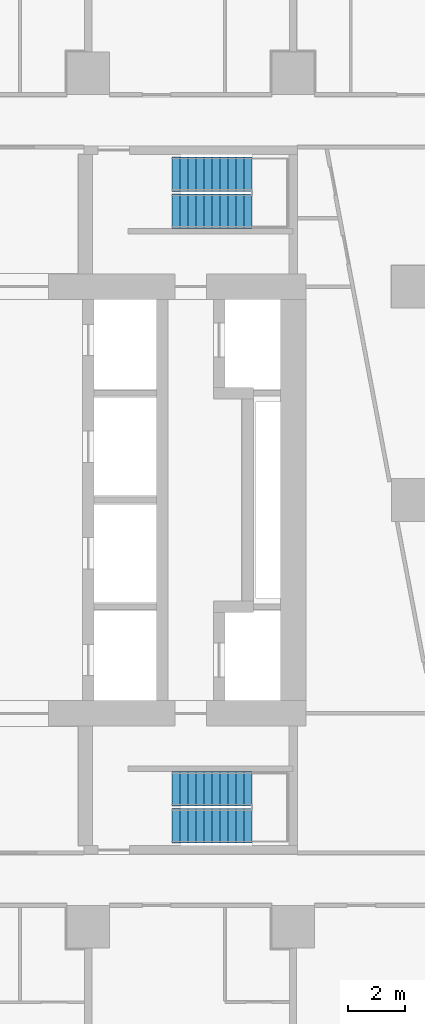
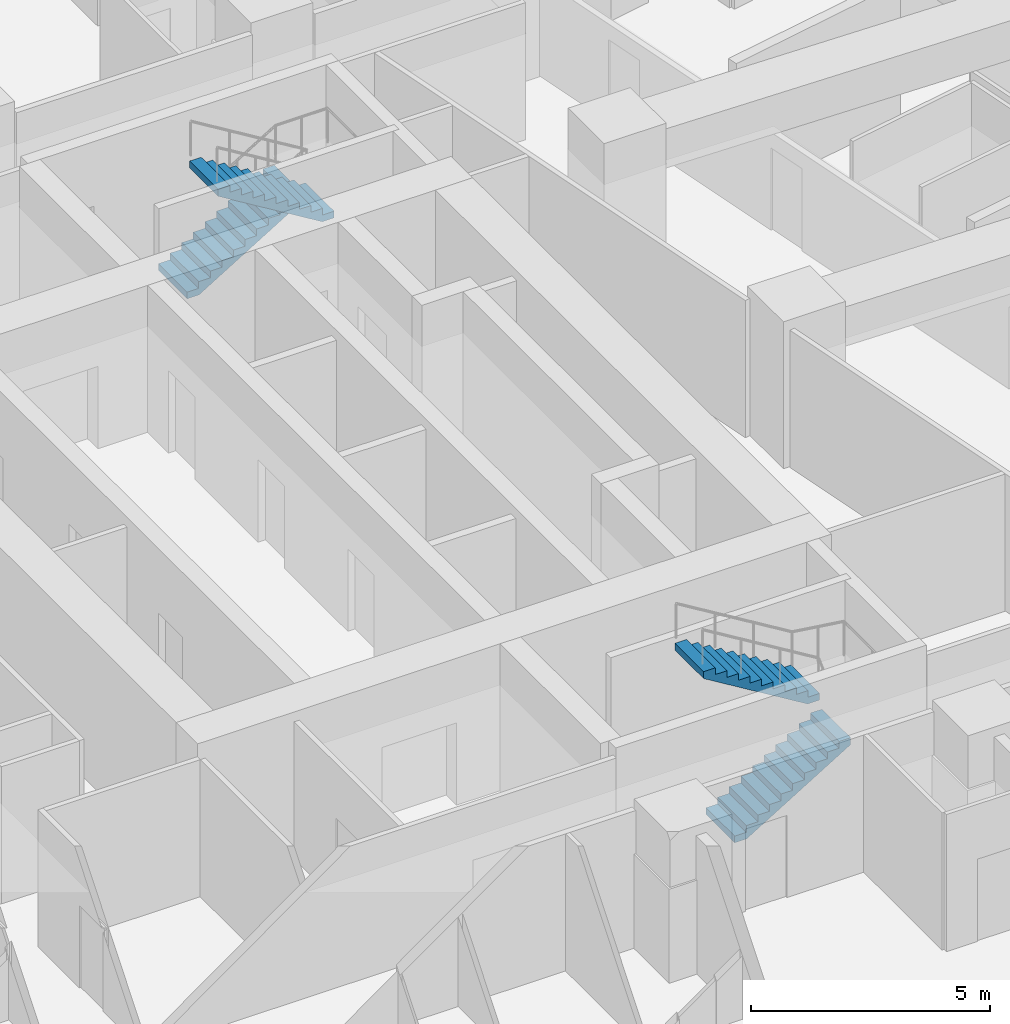
# One storey, part 13 of 15: 4 stair flights, 2 elements without a shape of their own.
"""IFC4 building model written with IfcOpenShell, lengths in metres."""

import ifcopenshell
import ifcopenshell.guid

model = None  # the IFC model being written
_history = None  # IfcOwnerHistory: only IFC2X3 demands one
_inside = {}  # id of a spatial element -> (the spatial element, [elements in it])
_under = {}  # id of a project, library or spatial element -> (it, [spatial elements below it])
_declared = {}  # id of a project -> (the project, [libraries it declares])
_typed = {}  # id of a type object -> (the type object, [elements of that type])
_made_of = {}  # id of a material, layer set ... -> (it, [elements and type objects made of it])


def new_model(schema):
    """Start an empty IFC model of exactly this schema.

    Asked for "IFC4X3", IfcOpenShell would pick the latest addendum, in which some entities
    have other attributes; the version numbers below select the first issue.
    IFC2X3 requires an IfcOwnerHistory on every rooted entity: one is made here for all.
    """
    global model, _history
    if schema == "IFC4X3":
        model = ifcopenshell.file(schema_version=(4, 3, 0, 0))
    else:
        model = ifcopenshell.file(schema=schema)
    _inside.clear()
    _under.clear()
    _declared.clear()
    _typed.clear()
    _made_of.clear()
    _history = None
    if model.schema == "IFC2X3":
        org = make("IfcOrganization", Name="unknown")
        user = make(
            "IfcPersonAndOrganization",
            ThePerson=make("IfcPerson", FamilyName="unknown"),
            TheOrganization=org,
        )
        app = make(
            "IfcApplication",
            ApplicationDeveloper=org,
            Version="unknown",
            ApplicationFullName="unknown",
            ApplicationIdentifier="unknown",
        )
        _history = make(
            "IfcOwnerHistory",
            OwningUser=user,
            OwningApplication=app,
            ChangeAction="ADDED",
            CreationDate=0,
        )
    return model


def make(cls, **values):
    """One entity of the class cls with the attributes given. An attribute that is None is left unset."""
    return model.create_entity(
        cls, **{name: value for name, value in values.items() if value is not None}
    )


def rooted(cls, **values):
    """An entity with a GlobalId (a new one), such as an element, a storey or a relation."""
    return make(cls, GlobalId=ifcopenshell.guid.new(), OwnerHistory=_history, **values)


def si_unit(unit_type, name, prefix=None):
    """IfcSIUnit, for example si_unit("LENGTHUNIT", "METRE", prefix="MILLI")."""
    return make("IfcSIUnit", UnitType=unit_type, Prefix=prefix, Name=name)


def assignment(units):
    """IfcUnitAssignment: the units of a project."""
    return None if units is None else make("IfcUnitAssignment", Units=units)


def point(xyz):
    """IfcCartesianPoint."""
    return None if xyz is None else make("IfcCartesianPoint", Coordinates=xyz)


def direction(xyz):
    """IfcDirection."""
    return None if xyz is None else make("IfcDirection", DirectionRatios=xyz)


def frame(location, z_axis=None, x_axis=None):
    """IfcAxis2Placement3D, a coordinate frame: its origin and axes. An axis left out is left unset."""
    return make(
        "IfcAxis2Placement3D",
        Location=point(location),
        Axis=direction(z_axis),
        RefDirection=direction(x_axis),
    )


def origin():
    """The frame at (0, 0, 0) with its axes left unset."""
    return frame((0.0, 0.0, 0.0))


def place(relative_to, where):
    """IfcLocalPlacement: puts the frame where relative to a parent placement (None: the world)."""
    return make(
        "IfcLocalPlacement", PlacementRelTo=relative_to, RelativePlacement=where
    )


def context(
    kind, dimensions, precision=None, world=None, true_north=None, identifier=None
):
    """IfcGeometricRepresentationContext, for example the 3D "Model" context."""
    return make(
        "IfcGeometricRepresentationContext",
        ContextIdentifier=identifier,
        ContextType=kind,
        CoordinateSpaceDimension=dimensions,
        Precision=precision,
        WorldCoordinateSystem=world,
        TrueNorth=true_north,
    )


def subcontext(parent, identifier, kind, view, scale=None):
    """IfcGeometricRepresentationSubContext, for example "Body" below "Model"."""
    return make(
        "IfcGeometricRepresentationSubContext",
        ContextIdentifier=identifier,
        ContextType=kind,
        ParentContext=parent,
        TargetScale=scale,
        TargetView=view,
    )


def project(units=None, contexts=None):
    """IfcProject with its units and contexts."""
    return rooted(
        "IfcProject",
        Name="project",
        RepresentationContexts=contexts,
        UnitsInContext=assignment(units),
    )


def spatial(cls, under=None, at=None, **own):
    """A site, building, storey or space (cls), placed at a placement, below another one or the project."""
    s = rooted(cls, ObjectPlacement=at, **own)
    if under is not None:
        _under.setdefault(under.id(), (under, []))[1].append(s)
    return s


def point_list(points):
    """IfcCartesianPointList2D or 3D."""
    cls = (
        "IfcCartesianPointList2D" if len(points[0]) == 2 else "IfcCartesianPointList3D"
    )
    return make(cls, CoordList=points)


def triangles(points, corners, closed=None, point_numbers=None):
    """IfcTriangulatedFaceSet: each triangle names its three corners, points numbered from 1."""
    return make(
        "IfcTriangulatedFaceSet",
        Coordinates=point_list(points),
        Closed=closed,
        CoordIndex=corners,
        PnIndex=point_numbers,
    )


def shape(context_of_items, identifier, shape_type, items):
    """IfcShapeRepresentation: the items that make up one representation, for example the "Body"."""
    return make(
        "IfcShapeRepresentation",
        ContextOfItems=context_of_items,
        RepresentationIdentifier=identifier,
        RepresentationType=shape_type,
        Items=items,
    )


def material(Name=None, Category=None):
    """IfcMaterial."""
    return make("IfcMaterial", Name=Name, Category=Category)


def made_of(thing, what):
    """Note that an element or type object is made of a material, layer set ...; save() writes the relation."""
    if what is not None:
        _made_of.setdefault(what.id(), (what, []))[1].append(thing)
    return thing


def type_object(cls, material=None, **own):
    """A type object (cls), such as IfcWallType, which elements share."""
    return made_of(rooted(cls, **own), material)


def element(
    cls,
    number,
    at=None,
    inside=None,
    cuts=None,
    type_object=None,
    material=None,
    context=None,
    identifier="Body",
    shape_type=None,
    held_by="IfcProductDefinitionShape",
    body=None,
    shapes=None,
    **own,
):
    """One element of the class cls, such as IfcWall. Its Tag is "e" and its number.

    at: its placement. inside: the storey or other place that contains it. cuts: it is an
    opening in that element (IfcRelVoidsElement). A single representation is given by context,
    identifier, shape_type and body (its items); several are given by shapes. held_by: the class
    of the entity that holds the representations. save() writes the other relations.
    """
    e = rooted(cls, Tag="e%d" % number, ObjectPlacement=at, **own)
    if body is not None:
        shapes = [shape(context, identifier, shape_type, body)]
    if shapes is not None:
        e.Representation = make(held_by, Representations=shapes)
    if inside is not None:
        _inside.setdefault(inside.id(), (inside, []))[1].append(e)
    if cuts is not None:
        rooted(
            "IfcRelVoidsElement", RelatingBuildingElement=cuts, RelatedOpeningElement=e
        )
    if type_object is not None:
        _typed.setdefault(type_object.id(), (type_object, []))[1].append(e)
    return made_of(e, material)


def aggregate(whole, parts):
    """IfcRelAggregates: a whole, such as a stair, and the parts it consists of."""
    return rooted("IfcRelAggregates", RelatingObject=whole, RelatedObjects=parts)


def save(model, path):
    """Write the relations noted so far, then the file.

    IfcRelAggregates (storeys below a building ...), IfcRelContainedInSpatialStructure (elements
    in a storey), IfcRelDefinesByType, IfcRelAssociatesMaterial and IfcRelDeclares: one each for
    every whole, place, type object, material and project.
    """
    for whole, parts in _under.values():
        aggregate(whole, parts)
    for where, things in _inside.values():
        rooted(
            "IfcRelContainedInSpatialStructure",
            RelatedElements=things,
            RelatingStructure=where,
        )
    for kind, things in _typed.values():
        rooted("IfcRelDefinesByType", RelatedObjects=things, RelatingType=kind)
    for what, things in _made_of.values():
        rooted("IfcRelAssociatesMaterial", RelatedObjects=things, RelatingMaterial=what)
    for by, libraries in _declared.values():
        rooted("IfcRelDeclares", RelatingContext=by, RelatedDefinitions=libraries)
    model.write(path)


model = new_model("IFC4")

# Units and contexts
model_context = context("Model", 3, precision=1e-05, world=origin(), true_north=direction((0.0, 1.0)))
body_context = subcontext(model_context, "Body", "Model", "MODEL_VIEW")
ifc_project = project(units=[si_unit("LENGTHUNIT", "METRE"), si_unit("AREAUNIT", "SQUARE_METRE"), si_unit("VOLUMEUNIT", "CUBIC_METRE"), si_unit("PLANEANGLEUNIT", "RADIAN"), si_unit("MASSUNIT", "GRAM", prefix="KILO")], contexts=[model_context])

# Site, building, storey
site_placement = place(None, origin())
site = spatial("IfcSite", under=ifc_project, at=site_placement, CompositionType="ELEMENT")
building_placement = place(site_placement, origin())
building = spatial("IfcBuilding", under=site, at=building_placement, Name="Sheger Commons Tower", CompositionType="ELEMENT")
storey_placement = place(building_placement, frame((0.0, 0.0, 177.050048828125)))
storey = spatial("IfcBuildingStorey", under=building, at=storey_placement, Name="L45", CompositionType="ELEMENT", Elevation=177.050048828125)

# Stair, stair flights
ifc_material_1 = material(Name="Concrete C35/45", Category="concrete")
stair_type = type_object("IfcStairType", Name="HALF-TURN STAIR 1200 RISE 3750", PredefinedType="HALF_TURN_STAIR", material=ifc_material_1)
stair_1_placement = place(storey_placement, origin())
stair_1 = element("IfcStair", 1, at=stair_1_placement, inside=storey, type_object=stair_type, Name="Stair S1 L45", PredefinedType="HALF_TURN_STAIR")
ifc_material_2 = material(Name="Concrete C35/45", Category="concrete")
stair_flight_type = type_object("IfcStairFlightType", Name="STAIR FLIGHT 1200 11 RISERS OF 170", PredefinedType="STRAIGHT", material=ifc_material_2)
stair_flight_1_placement = place(storey_placement, frame((24.550048828125, 11.050048828125, 0.0), z_axis=(0.0, 0.0, 1.0), x_axis=(1.0, 0.0, 0.0)))
stair_flight_1 = element("IfcStairFlight", 2, at=stair_flight_1_placement, type_object=stair_flight_type, Name="S1 flight 1", NumberOfRisers=11, NumberOfTreads=10, PredefinedType="STRAIGHT", RiserHeight=0.170454545, TreadLength=0.28, context=body_context, shape_type="Tessellation", body=[
    triangles([(0.0, 0.5999755859375, 0.0), (0.0, 0.5999755859375, 0.17041015625), (0.280029296875, 0.5999755859375, 0.17041015625), (0.280029296875, 0.5999755859375, 0.3408203125), (0.56005859375, 0.5999755859375, 0.3408203125), (0.56005859375, 0.5999755859375, 0.511474609375), (0.840087890625, 0.5999755859375, 0.511474609375), (0.840087890625, 0.5999755859375, 0.681884765625), (1.1201171875, 0.5999755859375, 0.681884765625), (1.1201171875, 0.5999755859375, 0.852294921875), (1.39990234375, 0.5999755859375, 0.852294921875), (1.39990234375, 0.5999755859375, 1.022705078125), (1.679931640625, 0.5999755859375, 1.022705078125), (1.679931640625, 0.5999755859375, 1.193115234375), (1.9599609375, 0.5999755859375, 1.193115234375), (1.9599609375, 0.5999755859375, 1.363525390625), (2.239990234375, 0.5999755859375, 1.363525390625), (2.239990234375, 0.5999755859375, 1.5341796875), (2.52001953125, 0.5999755859375, 1.5341796875), (2.52001953125, 0.5999755859375, 1.70458984375), (2.800048828125, 0.5999755859375, 1.70458984375), (2.800048828125, 0.5999755859375, 1.529052734375), (0.288330078125, 0.5999755859375, 0.0), (0.0, -0.5999755859375, 0.0), (0.0, -0.5999755859375, 0.17041015625), (0.280029296875, -0.5999755859375, 0.17041015625), (0.280029296875, -0.5999755859375, 0.3408203125), (0.56005859375, -0.5999755859375, 0.3408203125), (0.56005859375, -0.5999755859375, 0.511474609375), (0.840087890625, -0.5999755859375, 0.511474609375), (0.840087890625, -0.5999755859375, 0.681884765625), (1.1201171875, -0.5999755859375, 0.681884765625), (1.1201171875, -0.5999755859375, 0.852294921875), (1.39990234375, -0.5999755859375, 0.852294921875), (1.39990234375, -0.5999755859375, 1.022705078125), (1.679931640625, -0.5999755859375, 1.022705078125), (1.679931640625, -0.5999755859375, 1.193115234375), (1.9599609375, -0.5999755859375, 1.193115234375), (1.9599609375, -0.5999755859375, 1.363525390625), (2.239990234375, -0.5999755859375, 1.363525390625), (2.239990234375, -0.5999755859375, 1.5341796875), (2.52001953125, -0.5999755859375, 1.5341796875), (2.52001953125, -0.5999755859375, 1.70458984375), (2.800048828125, -0.5999755859375, 1.70458984375), (2.800048828125, -0.5999755859375, 1.529052734375), (0.288330078125, -0.5999755859375, 0.0), (0.0, 0.0, 0.085205078125), (0.1400146484375, 0.0, 0.17041015625), (0.280029296875, 0.0, 0.255615234375), (0.4200439453125, 0.0, 0.3408203125), (0.56005859375, 0.0, 0.4261474609375), (0.7000732421875, 0.0, 0.511474609375), (0.840087890625, 0.0, 0.5966796875), (0.9801025390625, 0.0, 0.681884765625), (1.1201171875, 0.0, 0.76708984375), (1.260009765625, 0.0, 0.852294921875), (1.39990234375, 0.0, 0.9375), (1.5399169921875, 0.0, 1.022705078125), (1.679931640625, 0.0, 1.10791015625), (1.8199462890625, 0.0, 1.193115234375), (1.9599609375, 0.0, 1.2783203125), (2.0999755859375, 0.0, 1.363525390625), (2.239990234375, 0.0, 1.4488525390625), (2.3800048828125, 0.0, 1.5341796875), (2.52001953125, 0.0, 1.619384765625), (2.6600341796875, 0.0, 1.70458984375), (2.800048828125, 0.0, 1.6168212890625), (1.544189453125, 0.0, 0.7645263671875), (0.1441650390625, 0.0, 0.0)], [[1, 22, 23], [24, 46, 45], [22, 20, 21], [45, 44, 43], [22, 19, 20], [45, 43, 42], [22, 18, 19], [45, 42, 41], [22, 17, 18], [45, 41, 40], [17, 15, 16], [40, 39, 38], [22, 15, 17], [45, 40, 38], [15, 13, 14], [38, 37, 36], [22, 13, 15], [45, 38, 36], [13, 11, 12], [36, 35, 34], [22, 11, 13], [45, 36, 34], [11, 9, 10], [34, 33, 32], [22, 9, 11], [45, 34, 32], [9, 7, 8], [32, 31, 30], [22, 7, 9], [45, 32, 30], [7, 5, 6], [30, 29, 28], [22, 5, 7], [45, 30, 28], [5, 3, 4], [28, 27, 26], [22, 3, 5], [45, 28, 26], [1, 3, 22], [24, 45, 26], [3, 1, 2], [26, 25, 24], [1, 47, 2], [2, 47, 25], [25, 47, 24], [24, 47, 1], [2, 48, 3], [3, 48, 26], [26, 48, 25], [25, 48, 2], [3, 49, 4], [4, 49, 27], [27, 49, 26], [26, 49, 3], [4, 50, 5], [5, 50, 28], [28, 50, 27], [27, 50, 4], [5, 51, 6], [6, 51, 29], [29, 51, 28], [28, 51, 5], [6, 52, 7], [7, 52, 30], [30, 52, 29], [29, 52, 6], [7, 53, 8], [8, 53, 31], [31, 53, 30], [30, 53, 7], [8, 54, 9], [9, 54, 32], [32, 54, 31], [31, 54, 8], [9, 55, 10], [10, 55, 33], [33, 55, 32], [32, 55, 9], [10, 56, 11], [11, 56, 34], [34, 56, 33], [33, 56, 10], [11, 57, 12], [12, 57, 35], [35, 57, 34], [34, 57, 11], [12, 58, 13], [13, 58, 36], [36, 58, 35], [35, 58, 12], [13, 59, 14], [14, 59, 37], [37, 59, 36], [36, 59, 13], [14, 60, 15], [15, 60, 38], [38, 60, 37], [37, 60, 14], [15, 61, 16], [16, 61, 39], [39, 61, 38], [38, 61, 15], [16, 62, 17], [17, 62, 40], [40, 62, 39], [39, 62, 16], [17, 63, 18], [18, 63, 41], [41, 63, 40], [40, 63, 17], [18, 64, 19], [19, 64, 42], [42, 64, 41], [41, 64, 18], [19, 65, 20], [20, 65, 43], [43, 65, 42], [42, 65, 19], [20, 66, 21], [21, 66, 44], [44, 66, 43], [43, 66, 20], [21, 67, 22], [22, 67, 45], [45, 67, 44], [44, 67, 21], [22, 68, 23], [23, 68, 46], [46, 68, 45], [45, 68, 22], [23, 69, 1], [1, 69, 24], [24, 69, 46], [46, 69, 23]], closed=True),
])
stair_flight_2_placement = place(storey_placement, frame((27.35009765625, 12.35009765625, 1.875), z_axis=(0.0, 0.0, 1.0), x_axis=(-1.0, 0.0, 0.0)))
stair_flight_2 = element("IfcStairFlight", 3, at=stair_flight_2_placement, type_object=stair_flight_type, Name="S1 flight 2", NumberOfRisers=11, NumberOfTreads=10, PredefinedType="STRAIGHT", RiserHeight=0.170454545, TreadLength=0.28, context=body_context, shape_type="Tessellation", body=[
    triangles([(0.0, 0.5999755859375, 0.0), (0.0, 0.5999755859375, 0.17041015625), (0.280029296875, 0.5999755859375, 0.17041015625), (0.280029296875, 0.5999755859375, 0.3408203125), (0.56005859375, 0.5999755859375, 0.3408203125), (0.56005859375, 0.5999755859375, 0.511474609375), (0.840087890625, 0.5999755859375, 0.511474609375), (0.840087890625, 0.5999755859375, 0.681884765625), (1.1201171875, 0.5999755859375, 0.681884765625), (1.1201171875, 0.5999755859375, 0.852294921875), (1.39990234375, 0.5999755859375, 0.852294921875), (1.39990234375, 0.5999755859375, 1.022705078125), (1.679931640625, 0.5999755859375, 1.022705078125), (1.679931640625, 0.5999755859375, 1.193115234375), (1.9599609375, 0.5999755859375, 1.193115234375), (1.9599609375, 0.5999755859375, 1.363525390625), (2.239990234375, 0.5999755859375, 1.363525390625), (2.239990234375, 0.5999755859375, 1.5341796875), (2.52001953125, 0.5999755859375, 1.5341796875), (2.52001953125, 0.5999755859375, 1.70458984375), (2.800048828125, 0.5999755859375, 1.70458984375), (2.800048828125, 0.5999755859375, 1.529052734375), (0.288330078125, 0.5999755859375, 0.0), (0.0, -0.5999755859375, 0.0), (0.0, -0.5999755859375, 0.17041015625), (0.280029296875, -0.5999755859375, 0.17041015625), (0.280029296875, -0.5999755859375, 0.3408203125), (0.56005859375, -0.5999755859375, 0.3408203125), (0.56005859375, -0.5999755859375, 0.511474609375), (0.840087890625, -0.5999755859375, 0.511474609375), (0.840087890625, -0.5999755859375, 0.681884765625), (1.1201171875, -0.5999755859375, 0.681884765625), (1.1201171875, -0.5999755859375, 0.852294921875), (1.39990234375, -0.5999755859375, 0.852294921875), (1.39990234375, -0.5999755859375, 1.022705078125), (1.679931640625, -0.5999755859375, 1.022705078125), (1.679931640625, -0.5999755859375, 1.193115234375), (1.9599609375, -0.5999755859375, 1.193115234375), (1.9599609375, -0.5999755859375, 1.363525390625), (2.239990234375, -0.5999755859375, 1.363525390625), (2.239990234375, -0.5999755859375, 1.5341796875), (2.52001953125, -0.5999755859375, 1.5341796875), (2.52001953125, -0.5999755859375, 1.70458984375), (2.800048828125, -0.5999755859375, 1.70458984375), (2.800048828125, -0.5999755859375, 1.529052734375), (0.288330078125, -0.5999755859375, 0.0), (0.0, 0.0, 0.085205078125), (0.1400146484375, 0.0, 0.17041015625), (0.280029296875, 0.0, 0.255615234375), (0.4200439453125, 0.0, 0.3408203125), (0.56005859375, 0.0, 0.4261474609375), (0.7000732421875, 0.0, 0.511474609375), (0.840087890625, 0.0, 0.5966796875), (0.9801025390625, 0.0, 0.681884765625), (1.1201171875, 0.0, 0.76708984375), (1.260009765625, 0.0, 0.852294921875), (1.39990234375, 0.0, 0.9375), (1.5399169921875, 0.0, 1.022705078125), (1.679931640625, 0.0, 1.10791015625), (1.8199462890625, 0.0, 1.193115234375), (1.9599609375, 0.0, 1.2783203125), (2.0999755859375, 0.0, 1.363525390625), (2.239990234375, 0.0, 1.4488525390625), (2.3800048828125, 0.0, 1.5341796875), (2.52001953125, 0.0, 1.619384765625), (2.6600341796875, 0.0, 1.70458984375), (2.800048828125, 0.0, 1.6168212890625), (1.544189453125, 0.0, 0.7645263671875), (0.1441650390625, 0.0, 0.0)], [[1, 22, 23], [24, 46, 45], [22, 20, 21], [45, 44, 43], [22, 19, 20], [45, 43, 42], [22, 18, 19], [45, 42, 41], [22, 17, 18], [45, 41, 40], [17, 15, 16], [40, 39, 38], [22, 15, 17], [45, 40, 38], [15, 13, 14], [38, 37, 36], [22, 13, 15], [45, 38, 36], [13, 11, 12], [36, 35, 34], [22, 11, 13], [45, 36, 34], [11, 9, 10], [34, 33, 32], [22, 9, 11], [45, 34, 32], [9, 7, 8], [32, 31, 30], [22, 7, 9], [45, 32, 30], [7, 5, 6], [30, 29, 28], [22, 5, 7], [45, 30, 28], [5, 3, 4], [28, 27, 26], [22, 3, 5], [45, 28, 26], [1, 3, 22], [24, 45, 26], [3, 1, 2], [26, 25, 24], [1, 47, 2], [2, 47, 25], [25, 47, 24], [24, 47, 1], [2, 48, 3], [3, 48, 26], [26, 48, 25], [25, 48, 2], [3, 49, 4], [4, 49, 27], [27, 49, 26], [26, 49, 3], [4, 50, 5], [5, 50, 28], [28, 50, 27], [27, 50, 4], [5, 51, 6], [6, 51, 29], [29, 51, 28], [28, 51, 5], [6, 52, 7], [7, 52, 30], [30, 52, 29], [29, 52, 6], [7, 53, 8], [8, 53, 31], [31, 53, 30], [30, 53, 7], [8, 54, 9], [9, 54, 32], [32, 54, 31], [31, 54, 8], [9, 55, 10], [10, 55, 33], [33, 55, 32], [32, 55, 9], [10, 56, 11], [11, 56, 34], [34, 56, 33], [33, 56, 10], [11, 57, 12], [12, 57, 35], [35, 57, 34], [34, 57, 11], [12, 58, 13], [13, 58, 36], [36, 58, 35], [35, 58, 12], [13, 59, 14], [14, 59, 37], [37, 59, 36], [36, 59, 13], [14, 60, 15], [15, 60, 38], [38, 60, 37], [37, 60, 14], [15, 61, 16], [16, 61, 39], [39, 61, 38], [38, 61, 15], [16, 62, 17], [17, 62, 40], [40, 62, 39], [39, 62, 16], [17, 63, 18], [18, 63, 41], [41, 63, 40], [40, 63, 17], [18, 64, 19], [19, 64, 42], [42, 64, 41], [41, 64, 18], [19, 65, 20], [20, 65, 43], [43, 65, 42], [42, 65, 19], [20, 66, 21], [21, 66, 44], [44, 66, 43], [43, 66, 20], [21, 67, 22], [22, 67, 45], [45, 67, 44], [44, 67, 21], [22, 68, 23], [23, 68, 46], [46, 68, 45], [45, 68, 22], [23, 69, 1], [1, 69, 24], [24, 69, 46], [46, 69, 23]], closed=True),
])
aggregate(stair_1, [stair_flight_1, stair_flight_2])

stair_2_placement = place(storey_placement, origin())
stair_2 = element("IfcStair", 4, at=stair_2_placement, inside=storey, type_object=stair_type, Name="Stair S2 L45", PredefinedType="HALF_TURN_STAIR")
stair_flight_3_placement = place(storey_placement, frame((24.550048828125, 33.949951171875, 0.0), z_axis=(0.0, 0.0, 1.0), x_axis=(1.0, 0.0, 0.0)))
stair_flight_3 = element("IfcStairFlight", 5, at=stair_flight_3_placement, type_object=stair_flight_type, Name="S2 flight 1", NumberOfRisers=11, NumberOfTreads=10, PredefinedType="STRAIGHT", RiserHeight=0.170454545, TreadLength=0.28, context=body_context, shape_type="Tessellation", body=[
    triangles([(0.0, 0.5999755859375, 0.0), (0.0, 0.5999755859375, 0.17041015625), (0.280029296875, 0.5999755859375, 0.17041015625), (0.280029296875, 0.5999755859375, 0.3408203125), (0.56005859375, 0.5999755859375, 0.3408203125), (0.56005859375, 0.5999755859375, 0.511474609375), (0.840087890625, 0.5999755859375, 0.511474609375), (0.840087890625, 0.5999755859375, 0.681884765625), (1.1201171875, 0.5999755859375, 0.681884765625), (1.1201171875, 0.5999755859375, 0.852294921875), (1.39990234375, 0.5999755859375, 0.852294921875), (1.39990234375, 0.5999755859375, 1.022705078125), (1.679931640625, 0.5999755859375, 1.022705078125), (1.679931640625, 0.5999755859375, 1.193115234375), (1.9599609375, 0.5999755859375, 1.193115234375), (1.9599609375, 0.5999755859375, 1.363525390625), (2.239990234375, 0.5999755859375, 1.363525390625), (2.239990234375, 0.5999755859375, 1.5341796875), (2.52001953125, 0.5999755859375, 1.5341796875), (2.52001953125, 0.5999755859375, 1.70458984375), (2.800048828125, 0.5999755859375, 1.70458984375), (2.800048828125, 0.5999755859375, 1.529052734375), (0.288330078125, 0.5999755859375, 0.0), (0.0, -0.5999755859375, 0.0), (0.0, -0.5999755859375, 0.17041015625), (0.280029296875, -0.5999755859375, 0.17041015625), (0.280029296875, -0.5999755859375, 0.3408203125), (0.56005859375, -0.5999755859375, 0.3408203125), (0.56005859375, -0.5999755859375, 0.511474609375), (0.840087890625, -0.5999755859375, 0.511474609375), (0.840087890625, -0.5999755859375, 0.681884765625), (1.1201171875, -0.5999755859375, 0.681884765625), (1.1201171875, -0.5999755859375, 0.852294921875), (1.39990234375, -0.5999755859375, 0.852294921875), (1.39990234375, -0.5999755859375, 1.022705078125), (1.679931640625, -0.5999755859375, 1.022705078125), (1.679931640625, -0.5999755859375, 1.193115234375), (1.9599609375, -0.5999755859375, 1.193115234375), (1.9599609375, -0.5999755859375, 1.363525390625), (2.239990234375, -0.5999755859375, 1.363525390625), (2.239990234375, -0.5999755859375, 1.5341796875), (2.52001953125, -0.5999755859375, 1.5341796875), (2.52001953125, -0.5999755859375, 1.70458984375), (2.800048828125, -0.5999755859375, 1.70458984375), (2.800048828125, -0.5999755859375, 1.529052734375), (0.288330078125, -0.5999755859375, 0.0), (0.0, 0.0, 0.085205078125), (0.1400146484375, 0.0, 0.17041015625), (0.280029296875, 0.0, 0.255615234375), (0.4200439453125, 0.0, 0.3408203125), (0.56005859375, 0.0, 0.4261474609375), (0.7000732421875, 0.0, 0.511474609375), (0.840087890625, 0.0, 0.5966796875), (0.9801025390625, 0.0, 0.681884765625), (1.1201171875, 0.0, 0.76708984375), (1.260009765625, 0.0, 0.852294921875), (1.39990234375, 0.0, 0.9375), (1.5399169921875, 0.0, 1.022705078125), (1.679931640625, 0.0, 1.10791015625), (1.8199462890625, 0.0, 1.193115234375), (1.9599609375, 0.0, 1.2783203125), (2.0999755859375, 0.0, 1.363525390625), (2.239990234375, 0.0, 1.4488525390625), (2.3800048828125, 0.0, 1.5341796875), (2.52001953125, 0.0, 1.619384765625), (2.6600341796875, 0.0, 1.70458984375), (2.800048828125, 0.0, 1.6168212890625), (1.544189453125, 0.0, 0.7645263671875), (0.1441650390625, 0.0, 0.0)], [[1, 22, 23], [24, 46, 45], [22, 20, 21], [45, 44, 43], [22, 19, 20], [45, 43, 42], [22, 18, 19], [45, 42, 41], [22, 17, 18], [45, 41, 40], [17, 15, 16], [40, 39, 38], [22, 15, 17], [45, 40, 38], [15, 13, 14], [38, 37, 36], [22, 13, 15], [45, 38, 36], [13, 11, 12], [36, 35, 34], [22, 11, 13], [45, 36, 34], [11, 9, 10], [34, 33, 32], [22, 9, 11], [45, 34, 32], [9, 7, 8], [32, 31, 30], [22, 7, 9], [45, 32, 30], [7, 5, 6], [30, 29, 28], [22, 5, 7], [45, 30, 28], [5, 3, 4], [28, 27, 26], [22, 3, 5], [45, 28, 26], [1, 3, 22], [24, 45, 26], [3, 1, 2], [26, 25, 24], [1, 47, 2], [2, 47, 25], [25, 47, 24], [24, 47, 1], [2, 48, 3], [3, 48, 26], [26, 48, 25], [25, 48, 2], [3, 49, 4], [4, 49, 27], [27, 49, 26], [26, 49, 3], [4, 50, 5], [5, 50, 28], [28, 50, 27], [27, 50, 4], [5, 51, 6], [6, 51, 29], [29, 51, 28], [28, 51, 5], [6, 52, 7], [7, 52, 30], [30, 52, 29], [29, 52, 6], [7, 53, 8], [8, 53, 31], [31, 53, 30], [30, 53, 7], [8, 54, 9], [9, 54, 32], [32, 54, 31], [31, 54, 8], [9, 55, 10], [10, 55, 33], [33, 55, 32], [32, 55, 9], [10, 56, 11], [11, 56, 34], [34, 56, 33], [33, 56, 10], [11, 57, 12], [12, 57, 35], [35, 57, 34], [34, 57, 11], [12, 58, 13], [13, 58, 36], [36, 58, 35], [35, 58, 12], [13, 59, 14], [14, 59, 37], [37, 59, 36], [36, 59, 13], [14, 60, 15], [15, 60, 38], [38, 60, 37], [37, 60, 14], [15, 61, 16], [16, 61, 39], [39, 61, 38], [38, 61, 15], [16, 62, 17], [17, 62, 40], [40, 62, 39], [39, 62, 16], [17, 63, 18], [18, 63, 41], [41, 63, 40], [40, 63, 17], [18, 64, 19], [19, 64, 42], [42, 64, 41], [41, 64, 18], [19, 65, 20], [20, 65, 43], [43, 65, 42], [42, 65, 19], [20, 66, 21], [21, 66, 44], [44, 66, 43], [43, 66, 20], [21, 67, 22], [22, 67, 45], [45, 67, 44], [44, 67, 21], [22, 68, 23], [23, 68, 46], [46, 68, 45], [45, 68, 22], [23, 69, 1], [1, 69, 24], [24, 69, 46], [46, 69, 23]], closed=True),
])
stair_flight_4_placement = place(storey_placement, frame((27.35009765625, 32.64990234375, 1.875), z_axis=(0.0, 0.0, 1.0), x_axis=(-1.0, 0.0, 0.0)))
stair_flight_4 = element("IfcStairFlight", 6, at=stair_flight_4_placement, type_object=stair_flight_type, Name="S2 flight 2", NumberOfRisers=11, NumberOfTreads=10, PredefinedType="STRAIGHT", RiserHeight=0.170454545, TreadLength=0.28, context=body_context, shape_type="Tessellation", body=[
    triangles([(0.0, 0.5999755859375, 0.0), (0.0, 0.5999755859375, 0.17041015625), (0.280029296875, 0.5999755859375, 0.17041015625), (0.280029296875, 0.5999755859375, 0.3408203125), (0.56005859375, 0.5999755859375, 0.3408203125), (0.56005859375, 0.5999755859375, 0.511474609375), (0.840087890625, 0.5999755859375, 0.511474609375), (0.840087890625, 0.5999755859375, 0.681884765625), (1.1201171875, 0.5999755859375, 0.681884765625), (1.1201171875, 0.5999755859375, 0.852294921875), (1.39990234375, 0.5999755859375, 0.852294921875), (1.39990234375, 0.5999755859375, 1.022705078125), (1.679931640625, 0.5999755859375, 1.022705078125), (1.679931640625, 0.5999755859375, 1.193115234375), (1.9599609375, 0.5999755859375, 1.193115234375), (1.9599609375, 0.5999755859375, 1.363525390625), (2.239990234375, 0.5999755859375, 1.363525390625), (2.239990234375, 0.5999755859375, 1.5341796875), (2.52001953125, 0.5999755859375, 1.5341796875), (2.52001953125, 0.5999755859375, 1.70458984375), (2.800048828125, 0.5999755859375, 1.70458984375), (2.800048828125, 0.5999755859375, 1.529052734375), (0.288330078125, 0.5999755859375, 0.0), (0.0, -0.5999755859375, 0.0), (0.0, -0.5999755859375, 0.17041015625), (0.280029296875, -0.5999755859375, 0.17041015625), (0.280029296875, -0.5999755859375, 0.3408203125), (0.56005859375, -0.5999755859375, 0.3408203125), (0.56005859375, -0.5999755859375, 0.511474609375), (0.840087890625, -0.5999755859375, 0.511474609375), (0.840087890625, -0.5999755859375, 0.681884765625), (1.1201171875, -0.5999755859375, 0.681884765625), (1.1201171875, -0.5999755859375, 0.852294921875), (1.39990234375, -0.5999755859375, 0.852294921875), (1.39990234375, -0.5999755859375, 1.022705078125), (1.679931640625, -0.5999755859375, 1.022705078125), (1.679931640625, -0.5999755859375, 1.193115234375), (1.9599609375, -0.5999755859375, 1.193115234375), (1.9599609375, -0.5999755859375, 1.363525390625), (2.239990234375, -0.5999755859375, 1.363525390625), (2.239990234375, -0.5999755859375, 1.5341796875), (2.52001953125, -0.5999755859375, 1.5341796875), (2.52001953125, -0.5999755859375, 1.70458984375), (2.800048828125, -0.5999755859375, 1.70458984375), (2.800048828125, -0.5999755859375, 1.529052734375), (0.288330078125, -0.5999755859375, 0.0), (0.0, 0.0, 0.085205078125), (0.1400146484375, 0.0, 0.17041015625), (0.280029296875, 0.0, 0.255615234375), (0.4200439453125, 0.0, 0.3408203125), (0.56005859375, 0.0, 0.4261474609375), (0.7000732421875, 0.0, 0.511474609375), (0.840087890625, 0.0, 0.5966796875), (0.9801025390625, 0.0, 0.681884765625), (1.1201171875, 0.0, 0.76708984375), (1.260009765625, 0.0, 0.852294921875), (1.39990234375, 0.0, 0.9375), (1.5399169921875, 0.0, 1.022705078125), (1.679931640625, 0.0, 1.10791015625), (1.8199462890625, 0.0, 1.193115234375), (1.9599609375, 0.0, 1.2783203125), (2.0999755859375, 0.0, 1.363525390625), (2.239990234375, 0.0, 1.4488525390625), (2.3800048828125, 0.0, 1.5341796875), (2.52001953125, 0.0, 1.619384765625), (2.6600341796875, 0.0, 1.70458984375), (2.800048828125, 0.0, 1.6168212890625), (1.544189453125, 0.0, 0.7645263671875), (0.1441650390625, 0.0, 0.0)], [[1, 22, 23], [24, 46, 45], [22, 20, 21], [45, 44, 43], [22, 19, 20], [45, 43, 42], [22, 18, 19], [45, 42, 41], [22, 17, 18], [45, 41, 40], [17, 15, 16], [40, 39, 38], [22, 15, 17], [45, 40, 38], [15, 13, 14], [38, 37, 36], [22, 13, 15], [45, 38, 36], [13, 11, 12], [36, 35, 34], [22, 11, 13], [45, 36, 34], [11, 9, 10], [34, 33, 32], [22, 9, 11], [45, 34, 32], [9, 7, 8], [32, 31, 30], [22, 7, 9], [45, 32, 30], [7, 5, 6], [30, 29, 28], [22, 5, 7], [45, 30, 28], [5, 3, 4], [28, 27, 26], [22, 3, 5], [45, 28, 26], [1, 3, 22], [24, 45, 26], [3, 1, 2], [26, 25, 24], [1, 47, 2], [2, 47, 25], [25, 47, 24], [24, 47, 1], [2, 48, 3], [3, 48, 26], [26, 48, 25], [25, 48, 2], [3, 49, 4], [4, 49, 27], [27, 49, 26], [26, 49, 3], [4, 50, 5], [5, 50, 28], [28, 50, 27], [27, 50, 4], [5, 51, 6], [6, 51, 29], [29, 51, 28], [28, 51, 5], [6, 52, 7], [7, 52, 30], [30, 52, 29], [29, 52, 6], [7, 53, 8], [8, 53, 31], [31, 53, 30], [30, 53, 7], [8, 54, 9], [9, 54, 32], [32, 54, 31], [31, 54, 8], [9, 55, 10], [10, 55, 33], [33, 55, 32], [32, 55, 9], [10, 56, 11], [11, 56, 34], [34, 56, 33], [33, 56, 10], [11, 57, 12], [12, 57, 35], [35, 57, 34], [34, 57, 11], [12, 58, 13], [13, 58, 36], [36, 58, 35], [35, 58, 12], [13, 59, 14], [14, 59, 37], [37, 59, 36], [36, 59, 13], [14, 60, 15], [15, 60, 38], [38, 60, 37], [37, 60, 14], [15, 61, 16], [16, 61, 39], [39, 61, 38], [38, 61, 15], [16, 62, 17], [17, 62, 40], [40, 62, 39], [39, 62, 16], [17, 63, 18], [18, 63, 41], [41, 63, 40], [40, 63, 17], [18, 64, 19], [19, 64, 42], [42, 64, 41], [41, 64, 18], [19, 65, 20], [20, 65, 43], [43, 65, 42], [42, 65, 19], [20, 66, 21], [21, 66, 44], [44, 66, 43], [43, 66, 20], [21, 67, 22], [22, 67, 45], [45, 67, 44], [44, 67, 21], [22, 68, 23], [23, 68, 46], [46, 68, 45], [45, 68, 22], [23, 69, 1], [1, 69, 24], [24, 69, 46], [46, 69, 23]], closed=True),
])
aggregate(stair_2, [stair_flight_3, stair_flight_4])

save(model, "model.ifc")
